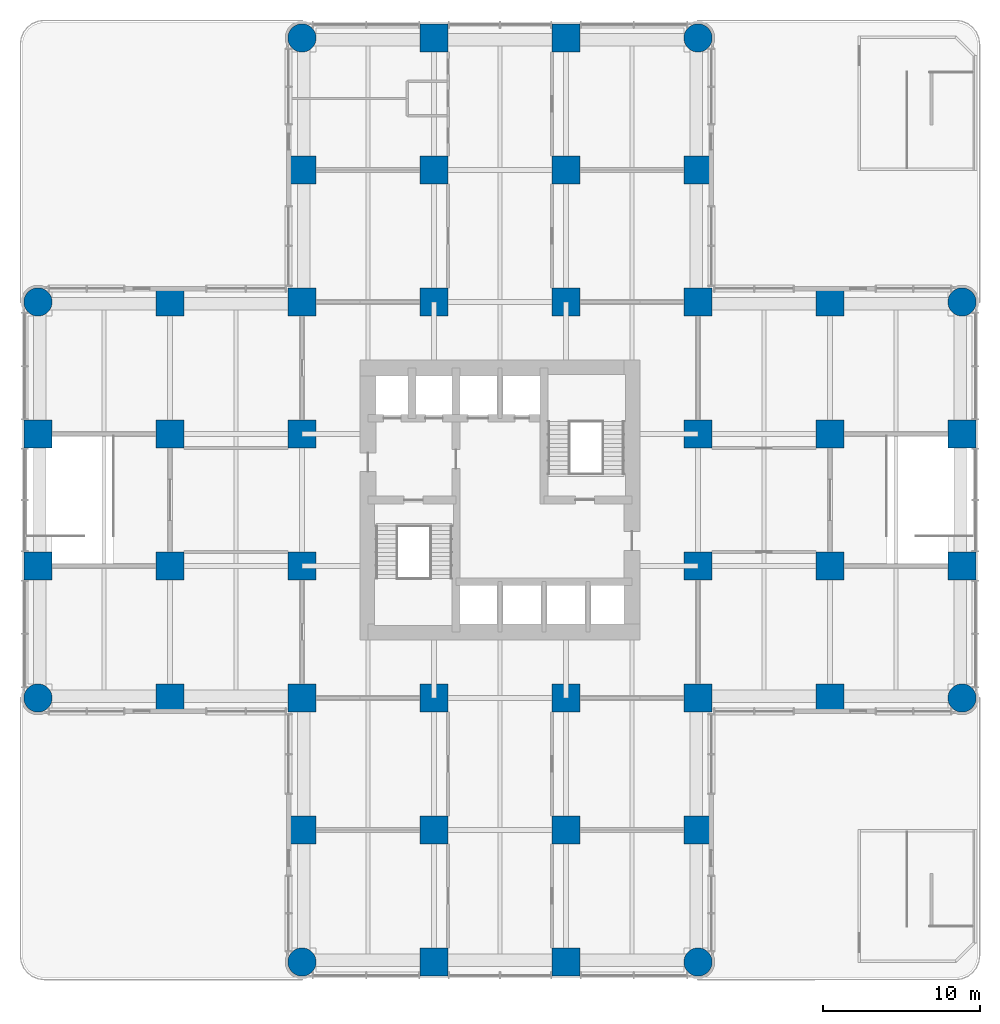
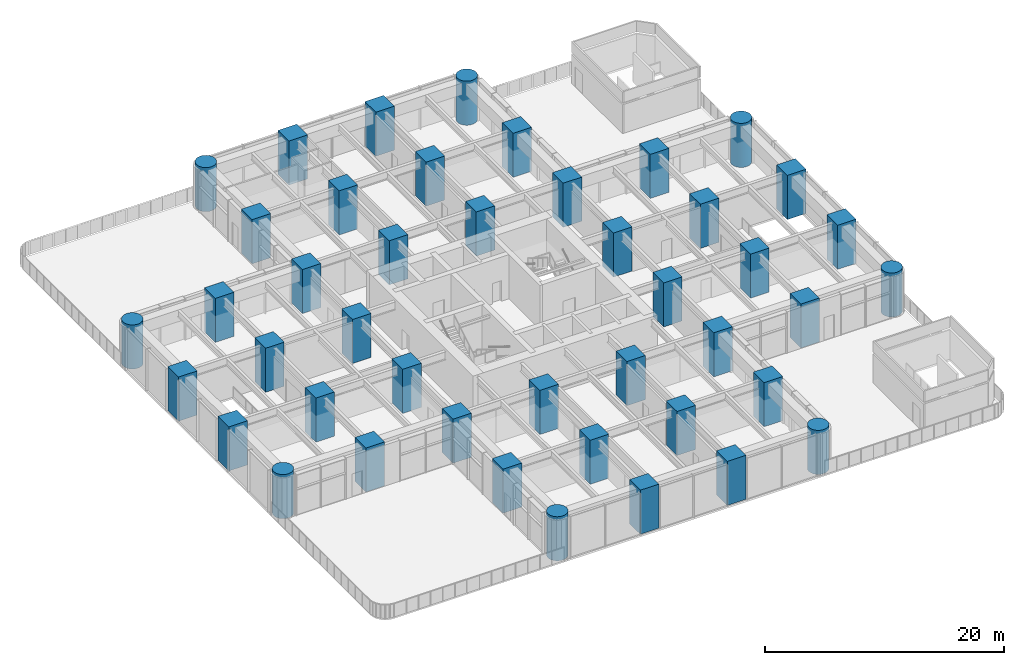
# One storey, part 1 of 21: 44 columns.
"""IFC4 building model written with IfcOpenShell, lengths in metres."""

import ifcopenshell
import ifcopenshell.guid

model = None  # the IFC model being written
_history = None  # IfcOwnerHistory: only IFC2X3 demands one
_inside = {}  # id of a spatial element -> (the spatial element, [elements in it])
_under = {}  # id of a project, library or spatial element -> (it, [spatial elements below it])
_declared = {}  # id of a project -> (the project, [libraries it declares])
_typed = {}  # id of a type object -> (the type object, [elements of that type])
_made_of = {}  # id of a material, layer set ... -> (it, [elements and type objects made of it])


def new_model(schema):
    """Start an empty IFC model of exactly this schema.

    Asked for "IFC4X3", IfcOpenShell would pick the latest addendum, in which some entities
    have other attributes; the version numbers below select the first issue.
    IFC2X3 requires an IfcOwnerHistory on every rooted entity: one is made here for all.
    """
    global model, _history
    if schema == "IFC4X3":
        model = ifcopenshell.file(schema_version=(4, 3, 0, 0))
    else:
        model = ifcopenshell.file(schema=schema)
    _inside.clear()
    _under.clear()
    _declared.clear()
    _typed.clear()
    _made_of.clear()
    _history = None
    if model.schema == "IFC2X3":
        org = make("IfcOrganization", Name="unknown")
        user = make(
            "IfcPersonAndOrganization",
            ThePerson=make("IfcPerson", FamilyName="unknown"),
            TheOrganization=org,
        )
        app = make(
            "IfcApplication",
            ApplicationDeveloper=org,
            Version="unknown",
            ApplicationFullName="unknown",
            ApplicationIdentifier="unknown",
        )
        _history = make(
            "IfcOwnerHistory",
            OwningUser=user,
            OwningApplication=app,
            ChangeAction="ADDED",
            CreationDate=0,
        )
    return model


def make(cls, **values):
    """One entity of the class cls with the attributes given. An attribute that is None is left unset."""
    return model.create_entity(
        cls, **{name: value for name, value in values.items() if value is not None}
    )


def rooted(cls, **values):
    """An entity with a GlobalId (a new one), such as an element, a storey or a relation."""
    return make(cls, GlobalId=ifcopenshell.guid.new(), OwnerHistory=_history, **values)


def si_unit(unit_type, name, prefix=None):
    """IfcSIUnit, for example si_unit("LENGTHUNIT", "METRE", prefix="MILLI")."""
    return make("IfcSIUnit", UnitType=unit_type, Prefix=prefix, Name=name)


def assignment(units):
    """IfcUnitAssignment: the units of a project."""
    return None if units is None else make("IfcUnitAssignment", Units=units)


def point(xyz):
    """IfcCartesianPoint."""
    return None if xyz is None else make("IfcCartesianPoint", Coordinates=xyz)


def direction(xyz):
    """IfcDirection."""
    return None if xyz is None else make("IfcDirection", DirectionRatios=xyz)


def frame(location, z_axis=None, x_axis=None):
    """IfcAxis2Placement3D, a coordinate frame: its origin and axes. An axis left out is left unset."""
    return make(
        "IfcAxis2Placement3D",
        Location=point(location),
        Axis=direction(z_axis),
        RefDirection=direction(x_axis),
    )


def frame_2d(location, x_axis=None):
    """IfcAxis2Placement2D, a coordinate frame in the plane: its origin and x axis."""
    return make(
        "IfcAxis2Placement2D", Location=point(location), RefDirection=direction(x_axis)
    )


def origin():
    """The frame at (0, 0, 0) with its axes left unset."""
    return frame((0.0, 0.0, 0.0))


def origin_2d():
    """The frame at (0, 0) in the plane with its x axis left unset."""
    return frame_2d((0.0, 0.0))


def place(relative_to, where):
    """IfcLocalPlacement: puts the frame where relative to a parent placement (None: the world)."""
    return make(
        "IfcLocalPlacement", PlacementRelTo=relative_to, RelativePlacement=where
    )


def context(
    kind, dimensions, precision=None, world=None, true_north=None, identifier=None
):
    """IfcGeometricRepresentationContext, for example the 3D "Model" context."""
    return make(
        "IfcGeometricRepresentationContext",
        ContextIdentifier=identifier,
        ContextType=kind,
        CoordinateSpaceDimension=dimensions,
        Precision=precision,
        WorldCoordinateSystem=world,
        TrueNorth=true_north,
    )


def subcontext(parent, identifier, kind, view, scale=None):
    """IfcGeometricRepresentationSubContext, for example "Body" below "Model"."""
    return make(
        "IfcGeometricRepresentationSubContext",
        ContextIdentifier=identifier,
        ContextType=kind,
        ParentContext=parent,
        TargetScale=scale,
        TargetView=view,
    )


def project(units=None, contexts=None):
    """IfcProject with its units and contexts."""
    return rooted(
        "IfcProject",
        Name="project",
        RepresentationContexts=contexts,
        UnitsInContext=assignment(units),
    )


def spatial(cls, under=None, at=None, **own):
    """A site, building, storey or space (cls), placed at a placement, below another one or the project."""
    s = rooted(cls, ObjectPlacement=at, **own)
    if under is not None:
        _under.setdefault(under.id(), (under, []))[1].append(s)
    return s


def profile(cls, at=None, kind="AREA", **sizes):
    """A parametric profile (cls). Its sizes go by their IFC names, for example OverallWidth=200.0."""
    return make(cls, ProfileType=kind, Position=at, **sizes)


def rectangle(**sizes):
    """IfcRectangleProfileDef."""
    return profile("IfcRectangleProfileDef", **sizes)


def circle(**sizes):
    """IfcCircleProfileDef."""
    return profile("IfcCircleProfileDef", **sizes)


def extrude(swept, where, along, depth):
    """IfcExtrudedAreaSolid: the profile swept, set in the frame where, extruded along a direction by depth."""
    return make(
        "IfcExtrudedAreaSolid",
        SweptArea=swept,
        Position=where,
        ExtrudedDirection=direction(along),
        Depth=depth,
    )


def shape(context_of_items, identifier, shape_type, items):
    """IfcShapeRepresentation: the items that make up one representation, for example the "Body"."""
    return make(
        "IfcShapeRepresentation",
        ContextOfItems=context_of_items,
        RepresentationIdentifier=identifier,
        RepresentationType=shape_type,
        Items=items,
    )


def material(Name=None, Category=None):
    """IfcMaterial."""
    return make("IfcMaterial", Name=Name, Category=Category)


def material_profile(
    of_material, cross_section, Name=None, Category=None, Priority=None
):
    """IfcMaterialProfile: a cross section and its material."""
    return make(
        "IfcMaterialProfile",
        Name=Name,
        Material=of_material,
        Profile=cross_section,
        Priority=Priority,
        Category=Category,
    )


def profile_set(profiles, Name=None, composite=None):
    """IfcMaterialProfileSet."""
    return make(
        "IfcMaterialProfileSet",
        Name=Name,
        MaterialProfiles=profiles,
        CompositeProfile=composite,
    )


def made_of(thing, what):
    """Note that an element or type object is made of a material, layer set ...; save() writes the relation."""
    if what is not None:
        _made_of.setdefault(what.id(), (what, []))[1].append(thing)
    return thing


def type_object(cls, material=None, **own):
    """A type object (cls), such as IfcWallType, which elements share."""
    return made_of(rooted(cls, **own), material)


def element(
    cls,
    number,
    at=None,
    inside=None,
    cuts=None,
    type_object=None,
    material=None,
    context=None,
    identifier="Body",
    shape_type=None,
    held_by="IfcProductDefinitionShape",
    body=None,
    shapes=None,
    **own,
):
    """One element of the class cls, such as IfcWall. Its Tag is "e" and its number.

    at: its placement. inside: the storey or other place that contains it. cuts: it is an
    opening in that element (IfcRelVoidsElement). A single representation is given by context,
    identifier, shape_type and body (its items); several are given by shapes. held_by: the class
    of the entity that holds the representations. save() writes the other relations.
    """
    e = rooted(cls, Tag="e%d" % number, ObjectPlacement=at, **own)
    if body is not None:
        shapes = [shape(context, identifier, shape_type, body)]
    if shapes is not None:
        e.Representation = make(held_by, Representations=shapes)
    if inside is not None:
        _inside.setdefault(inside.id(), (inside, []))[1].append(e)
    if cuts is not None:
        rooted(
            "IfcRelVoidsElement", RelatingBuildingElement=cuts, RelatedOpeningElement=e
        )
    if type_object is not None:
        _typed.setdefault(type_object.id(), (type_object, []))[1].append(e)
    return made_of(e, material)


def aggregate(whole, parts):
    """IfcRelAggregates: a whole, such as a stair, and the parts it consists of."""
    return rooted("IfcRelAggregates", RelatingObject=whole, RelatedObjects=parts)


def save(model, path):
    """Write the relations noted so far, then the file.

    IfcRelAggregates (storeys below a building ...), IfcRelContainedInSpatialStructure (elements
    in a storey), IfcRelDefinesByType, IfcRelAssociatesMaterial and IfcRelDeclares: one each for
    every whole, place, type object, material and project.
    """
    for whole, parts in _under.values():
        aggregate(whole, parts)
    for where, things in _inside.values():
        rooted(
            "IfcRelContainedInSpatialStructure",
            RelatedElements=things,
            RelatingStructure=where,
        )
    for kind, things in _typed.values():
        rooted("IfcRelDefinesByType", RelatedObjects=things, RelatingType=kind)
    for what, things in _made_of.values():
        rooted("IfcRelAssociatesMaterial", RelatedObjects=things, RelatingMaterial=what)
    for by, libraries in _declared.values():
        rooted("IfcRelDeclares", RelatingContext=by, RelatedDefinitions=libraries)
    model.write(path)


model = new_model("IFC4")

# Units and contexts
model_context = context("Model", 3, precision=1e-05, world=origin(), true_north=direction((0.0, 1.0)))
body_context = subcontext(model_context, "Body", "Model", "MODEL_VIEW")
ifc_project = project(units=[si_unit("LENGTHUNIT", "METRE"), si_unit("AREAUNIT", "SQUARE_METRE"), si_unit("VOLUMEUNIT", "CUBIC_METRE"), si_unit("PLANEANGLEUNIT", "RADIAN"), si_unit("MASSUNIT", "GRAM", prefix="KILO")], contexts=[model_context])

# Site, building, storey
site_placement = place(None, origin())
site = spatial("IfcSite", under=ifc_project, at=site_placement, CompositionType="ELEMENT")
building_placement = place(site_placement, origin())
building = spatial("IfcBuilding", under=site, at=building_placement, Name="Torre Alcanfor", CompositionType="ELEMENT")
storey_placement = place(building_placement, frame((0.0, 0.0, 24.0)))
storey = spatial("IfcBuildingStorey", under=building, at=storey_placement, Name="L05", CompositionType="ELEMENT", Elevation=24.0)

# Columns
ifc_material_1 = material(Name="Concrete f'c 70 MPa", Category="concrete")
ifc_material_profile_1 = material_profile(ifc_material_1, rectangle(XDim=1.800048828125, YDim=1.800048828125, at=origin_2d()), Name="1800x1800")
ifc_profile_set_1 = profile_set([ifc_material_profile_1], Name="Concrete f'c 70 MPa")
column_type_1 = type_object("IfcColumnType", Name="RC column 1800x1800 f'c70", PredefinedType="COLUMN", material=ifc_profile_set_1)
for number, where, z_axis, x_axis, name in (
    (1, (0.0, 25.199951171875, 0.0), (0.0, 0.0, 1.0), (1.0, 0.0, 0.0), "Column 1/F L05"),
    (2, (0.0, 33.60009765625, 0.0), (0.0, 0.0, 1.0), (1.0, 0.0, 0.0), "Column 1/G L05"),
    (3, (8.39990234375, 16.800048828125, 0.0), (0.0, 0.0, 1.0), (1.0, 0.0, 0.0), "Column 2/E L05"),
    (4, (8.39990234375, 25.199951171875, 0.0), (0.0, 0.0, 1.0), (1.0, 0.0, 0.0), "Column 2/F L05"),
    (5, (8.39990234375, 33.60009765625, 0.0), (0.0, 0.0, 1.0), (1.0, 0.0, 0.0), "Column 2/G L05"),
    (6, (8.39990234375, 42.0, 0.0), (0.0, 0.0, 1.0), (1.0, 0.0, 0.0), "Column 2/H L05"),
    (7, (16.800048828125, 8.39990234375, 0.0), (0.0, 0.0, 1.0), (1.0, 0.0, 0.0), "Column 3/D L05"),
    (8, (16.800048828125, 16.800048828125, 0.0), (0.0, 0.0, 1.0), (1.0, 0.0, 0.0), "Column 3/E L05"),
    (9, (16.800048828125, 25.199951171875, 0.0), (0.0, 0.0, 1.0), (1.0, 0.0, 0.0), "Column 3/F L05"),
    (10, (16.800048828125, 33.60009765625, 0.0), (0.0, 0.0, 1.0), (1.0, 0.0, 0.0), "Column 3/G L05"),
    (11, (16.800048828125, 42.0, 0.0), (0.0, 0.0, 1.0), (1.0, 0.0, 0.0), "Column 3/H L05"),
    (12, (16.800048828125, 50.39990234375, 0.0), (0.0, 0.0, 1.0), (1.0, 0.0, 0.0), "Column 3/J L05"),
    (13, (25.199951171875, 0.0, 0.0), (0.0, 0.0, 1.0), (1.0, 0.0, 0.0), "Column 4/C L05"),
    (14, (25.199951171875, 8.39990234375, 0.0), (0.0, 0.0, 1.0), (1.0, 0.0, 0.0), "Column 4/D L05"),
    (15, (25.199951171875, 16.800048828125, 0.0), (0.0, 0.0, 1.0), (1.0, 0.0, 0.0), "Column 4/E L05"),
    (16, (25.199951171875, 42.0, 0.0), (0.0, 0.0, 1.0), (1.0, 0.0, 0.0), "Column 4/H L05"),
    (17, (25.199951171875, 50.39990234375, 0.0), (0.0, 0.0, 1.0), (1.0, 0.0, 0.0), "Column 4/J L05"),
    (18, (25.199951171875, 58.800048828125, 0.0), (0.0, 0.0, 1.0), (1.0, 0.0, 0.0), "Column 4/K L05"),
    (19, (33.60009765625, 0.0, 0.0), (0.0, 0.0, 1.0), (1.0, 0.0, 0.0), "Column 5/C L05"),
    (20, (33.60009765625, 8.39990234375, 0.0), (0.0, 0.0, 1.0), (1.0, 0.0, 0.0), "Column 5/D L05"),
    (21, (33.60009765625, 16.800048828125, 0.0), (0.0, 0.0, 1.0), (1.0, 0.0, 0.0), "Column 5/E L05"),
    (22, (33.60009765625, 42.0, 0.0), (0.0, 0.0, 1.0), (1.0, 0.0, 0.0), "Column 5/H L05"),
    (23, (33.60009765625, 50.39990234375, 0.0), (0.0, 0.0, 1.0), (1.0, 0.0, 0.0), "Column 5/J L05"),
    (24, (33.60009765625, 58.800048828125, 0.0), (0.0, 0.0, 1.0), (1.0, 0.0, 0.0), "Column 5/K L05"),
    (25, (42.0, 8.39990234375, 0.0), (0.0, 0.0, 1.0), (1.0, 0.0, 0.0), "Column 6/D L05"),
    (26, (42.0, 16.800048828125, 0.0), (0.0, 0.0, 1.0), (1.0, 0.0, 0.0), "Column 6/E L05"),
    (27, (42.0, 25.199951171875, 0.0), (0.0, 0.0, 1.0), (1.0, 0.0, 0.0), "Column 6/F L05"),
    (28, (42.0, 33.60009765625, 0.0), (0.0, 0.0, 1.0), (1.0, 0.0, 0.0), "Column 6/G L05"),
    (29, (42.0, 42.0, 0.0), (0.0, 0.0, 1.0), (1.0, 0.0, 0.0), "Column 6/H L05"),
    (30, (42.0, 50.39990234375, 0.0), (0.0, 0.0, 1.0), (1.0, 0.0, 0.0), "Column 6/J L05"),
    (31, (50.39990234375, 16.800048828125, 0.0), (0.0, 0.0, 1.0), (1.0, 0.0, 0.0), "Column 7/E L05"),
    (32, (50.39990234375, 25.199951171875, 0.0), (0.0, 0.0, 1.0), (1.0, 0.0, 0.0), "Column 7/F L05"),
    (33, (50.39990234375, 33.60009765625, 0.0), (0.0, 0.0, 1.0), (1.0, 0.0, 0.0), "Column 7/G L05"),
    (34, (50.39990234375, 42.0, 0.0), (0.0, 0.0, 1.0), (1.0, 0.0, 0.0), "Column 7/H L05"),
    (35, (58.800048828125, 25.199951171875, 0.0), (0.0, 0.0, 1.0), (1.0, 0.0, 0.0), "Column 8/F L05"),
    (36, (58.800048828125, 33.60009765625, 0.0), (0.0, 0.0, 1.0), (1.0, 0.0, 0.0), "Column 8/G L05"),
):
    element("IfcColumn", number, at=place(storey_placement, frame(where, z_axis=z_axis, x_axis=x_axis)), inside=storey, type_object=column_type_1, Name=name, PredefinedType="COLUMN", context=body_context, shape_type="SweptSolid", body=[
        extrude(rectangle(XDim=1.800048828125, YDim=1.800048828125, at=origin_2d()), origin(), (0.0, 0.0, 1.0), 4.5),
    ])
ifc_material_2 = material(Name="Concrete f'c 70 MPa", Category="concrete")
ifc_material_profile_2 = material_profile(ifc_material_2, circle(Radius=0.89990234375, at=origin_2d()), Name="D1800")
ifc_profile_set_2 = profile_set([ifc_material_profile_2], Name="Concrete f'c 70 MPa")
column_type_2 = type_object("IfcColumnType", Name="RC column D1800 f'c70", PredefinedType="COLUMN", material=ifc_profile_set_2)
for number, where, z_axis, x_axis, name in (
    (37, (0.0, 16.800048828125, 0.0), (0.0, 0.0, 1.0), (1.0, 0.0, 0.0), "Column 1/E L05"),
    (38, (0.0, 42.0, 0.0), (0.0, 0.0, 1.0), (1.0, 0.0, 0.0), "Column 1/H L05"),
    (39, (16.800048828125, 0.0, 0.0), (0.0, 0.0, 1.0), (1.0, 0.0, 0.0), "Column 3/C L05"),
    (40, (16.800048828125, 58.800048828125, 0.0), (0.0, 0.0, 1.0), (1.0, 0.0, 0.0), "Column 3/K L05"),
    (41, (42.0, 0.0, 0.0), (0.0, 0.0, 1.0), (1.0, 0.0, 0.0), "Column 6/C L05"),
    (42, (42.0, 58.800048828125, 0.0), (0.0, 0.0, 1.0), (1.0, 0.0, 0.0), "Column 6/K L05"),
    (43, (58.800048828125, 16.800048828125, 0.0), (0.0, 0.0, 1.0), (1.0, 0.0, 0.0), "Column 8/E L05"),
    (44, (58.800048828125, 42.0, 0.0), (0.0, 0.0, 1.0), (1.0, 0.0, 0.0), "Column 8/H L05"),
):
    element("IfcColumn", number, at=place(storey_placement, frame(where, z_axis=z_axis, x_axis=x_axis)), inside=storey, type_object=column_type_2, Name=name, PredefinedType="COLUMN", context=body_context, shape_type="SweptSolid", body=[
        extrude(circle(Radius=0.89990234375, at=origin_2d()), origin(), (0.0, 0.0, 1.0), 4.5),
    ])

save(model, "model.ifc")
